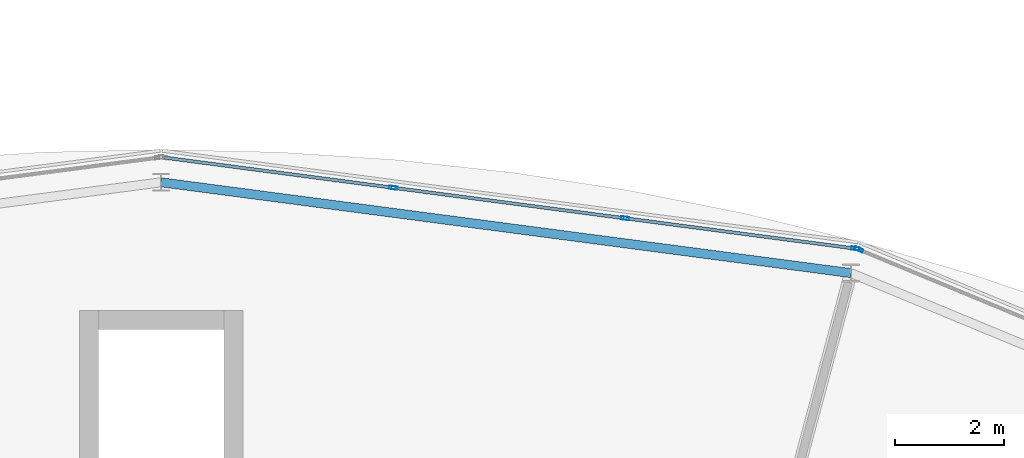
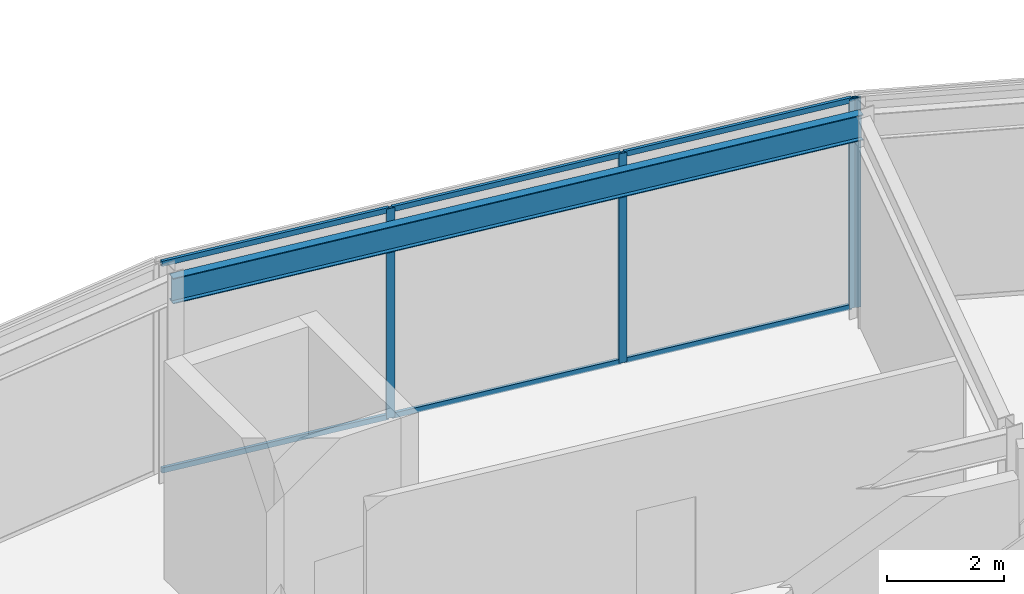
# One storey, part 78 of 133: 10 members, 1 beam, 2 elements without a shape of their own.
"""IFC4 building model written with IfcOpenShell, lengths in metres."""

from ifc_helpers import new_model, si_unit, direction, frame, origin, origin_2d, place, context, subcontext, project, spatial, hollow_rectangle, i_section, extrude, material, material_profile, profile_set, type_object, element, aggregate, save


model = new_model("IFC4")

# Units and contexts
model_context = context("Model", 3, precision=1e-05, world=origin(), true_north=direction((0.0, 1.0)))
body_context = subcontext(model_context, "Body", "Model", "MODEL_VIEW")
ifc_project = project(units=[si_unit("LENGTHUNIT", "METRE"), si_unit("AREAUNIT", "SQUARE_METRE"), si_unit("VOLUMEUNIT", "CUBIC_METRE"), si_unit("PLANEANGLEUNIT", "RADIAN"), si_unit("MASSUNIT", "GRAM", prefix="KILO")], contexts=[model_context])

# Site, building, storey
site_placement = place(None, origin())
site = spatial("IfcSite", under=ifc_project, at=site_placement, CompositionType="ELEMENT")
building_placement = place(site_placement, origin())
building = spatial("IfcBuilding", under=site, at=building_placement, Name="Almandine Court Research Institute", CompositionType="ELEMENT")
storey_placement = place(building_placement, frame((0.0, 0.0, 9.800048828125)))
storey = spatial("IfcBuildingStorey", under=building, at=storey_placement, Name="L02", CompositionType="ELEMENT", Elevation=9.800048828125)

# Beam
ifc_material_1 = material(Name="Steel ASTM A992 Grade 50", Category="steel")
ifc_material_profile_1 = material_profile(ifc_material_1, i_section(OverallWidth=0.166015625, OverallDepth=0.534912109375, WebThickness=0.010009765625, FlangeThickness=0.01708984375, at=origin_2d()), Name="W530x85")
ifc_profile_set_1 = profile_set([ifc_material_profile_1], Name="Steel ASTM A992 Grade 50")
beam_type = type_object("IfcBeamType", Name="Beam-G-05-E", PredefinedType="SPANDREL", material=ifc_profile_set_1)
beam_placement = place(storey_placement, frame((99.656005859375, 103.23388671875, 4.10205078125), z_axis=(-0.991446677504, 0.130512396599, 0.0), x_axis=(-0.130512396599, -0.991446677504, 0.0)))
element("IfcBeam", 1, at=beam_placement, inside=storey, type_object=beam_type, Name="L02 Drum OUT Ring Beam 05", PredefinedType="SPANDREL", context=body_context, shape_type="SweptSolid", body=[
    extrude(i_section(OverallWidth=0.166015625, OverallDepth=0.534912109375, WebThickness=0.010009765625, FlangeThickness=0.01708984375, at=origin_2d()), origin(), (0.0, 0.0, 1.0), 12.76513671875),
])

# Curtain wall, member
ifc_material_2 = material(Name="Unitised Curtain Wall Framing and Solar Glazing", Category="glass")
curtain_wall_type = type_object("IfcCurtainWallType", Name="CW-CWG-20", PredefinedType="USERDEFINED", material=ifc_material_2)
curtain_wall_1_placement = place(storey_placement, origin())
curtain_wall_1 = element("IfcCurtainWall", 2, at=curtain_wall_1_placement, inside=storey, type_object=curtain_wall_type, Name="L02 Stacked-Ring Drum Outer Unitised Glazing 04", ObjectType="UNITISED GLAZING", PredefinedType="USERDEFINED")
ifc_material_3 = material(Name="Anodised Aluminium AW-6063-T6", Category="aluminium")
ifc_material_profile_2 = material_profile(ifc_material_3, hollow_rectangle(XDim=0.06005859375, YDim=0.14990234375, WallThickness=0.00390625, at=origin_2d()), Name="ALU RHS 60x150x4")
ifc_profile_set_2 = profile_set([ifc_material_profile_2], Name="Anodised Aluminium AW-6063-T6")
member_type_1 = type_object("IfcMemberType", Name="CWMul-60x150", PredefinedType="MULLION", material=ifc_profile_set_2)
member_1_placement = place(storey_placement, frame((99.806640625, 103.66552734375, 0.0), z_axis=(0.0, 0.0, 1.0), x_axis=(0.382662689242, 0.923888124321, 0.0)))
member_1 = element("IfcMember", 3, at=member_1_placement, type_object=member_type_1, Name="CWG-20 mullion 1", PredefinedType="MULLION", context=body_context, shape_type="SweptSolid", body=[
    extrude(hollow_rectangle(XDim=0.06005859375, YDim=0.14990234375, WallThickness=0.00390625, at=origin_2d()), origin(), (0.0, 0.0, 1.0), 4.369873046875),
])
aggregate(curtain_wall_1, [member_1])

# Curtain wall, members
curtain_wall_2_placement = place(storey_placement, origin())
curtain_wall_2 = element("IfcCurtainWall", 4, at=curtain_wall_2_placement, inside=storey, type_object=curtain_wall_type, Name="L02 Stacked-Ring Drum Outer Unitised Glazing 05", ObjectType="UNITISED GLAZING", PredefinedType="USERDEFINED")
member_2_placement = place(storey_placement, frame((91.259765625, 104.799560546875, 0.0), z_axis=(0.0, 0.0, 1.0), x_axis=(0.130540891259, 0.991442926098, 0.0)))
member_2 = element("IfcMember", 5, at=member_2_placement, type_object=member_type_1, Name="CWG-20 mullion 2", PredefinedType="MULLION", context=body_context, shape_type="SweptSolid", body=[
    extrude(hollow_rectangle(XDim=0.06005859375, YDim=0.14990234375, WallThickness=0.00390625, at=origin_2d()), origin(), (0.0, 0.0, 1.0), 4.369873046875),
])
member_3_placement = place(storey_placement, frame((95.515380859375, 104.2392578125, 0.0), z_axis=(0.0, 0.0, 1.0), x_axis=(0.130540891259, 0.991442926098, 0.0)))
member_3 = element("IfcMember", 6, at=member_3_placement, type_object=member_type_1, Name="CWG-20 mullion 3", PredefinedType="MULLION", context=body_context, shape_type="SweptSolid", body=[
    extrude(hollow_rectangle(XDim=0.06005859375, YDim=0.14990234375, WallThickness=0.00390625, at=origin_2d()), origin(), (0.0, 0.0, 1.0), 4.369873046875),
])
member_4_placement = place(storey_placement, frame((99.7412109375, 103.682861328125, 0.0), z_axis=(0.0, 0.0, 1.0), x_axis=(0.130540891259, 0.991442926098, 0.0)))
member_4 = element("IfcMember", 7, at=member_4_placement, type_object=member_type_1, Name="CWG-20 mullion 4", PredefinedType="MULLION", context=body_context, shape_type="SweptSolid", body=[
    extrude(hollow_rectangle(XDim=0.06005859375, YDim=0.14990234375, WallThickness=0.00390625, at=origin_2d()), origin(), (0.0, 0.0, 1.0), 4.369873046875),
])
ifc_material_profile_3 = material_profile(ifc_material_3, hollow_rectangle(XDim=0.06005859375, YDim=0.110107421875, WallThickness=0.00390625, at=origin_2d()), Name="ALU RHS 60x110x4")
ifc_profile_set_3 = profile_set([ifc_material_profile_3], Name="Anodised Aluminium AW-6063-T6")
member_type_2 = type_object("IfcMemberType", Name="CWTrn-60x110", PredefinedType="NOTDEFINED", material=ifc_profile_set_3)
member_5_placement = place(storey_placement, frame((87.0634765625, 105.35205078125, 0.030029296875), z_axis=(0.991443218791, -0.130538668266, 0.0), x_axis=(0.130538668266, 0.991443218791, 0.0)))
member_5 = element("IfcMember", 8, at=member_5_placement, type_object=member_type_2, Name="CWG-20 transom 1.1", ObjectType="TRANSOM", PredefinedType="USERDEFINED", context=body_context, shape_type="SweptSolid", body=[
    extrude(hollow_rectangle(XDim=0.06005859375, YDim=0.110107421875, WallThickness=0.00390625, at=origin_2d()), origin(), (0.0, 0.0, 1.0), 4.202392578125),
])
member_6_placement = place(storey_placement, frame((87.0634765625, 105.35205078125, 4.33984375), z_axis=(0.991443218791, -0.130538668266, 0.0), x_axis=(0.130538668266, 0.991443218791, 0.0)))
member_6 = element("IfcMember", 9, at=member_6_placement, type_object=member_type_2, Name="CWG-20 transom 1.2", ObjectType="TRANSOM", PredefinedType="USERDEFINED", context=body_context, shape_type="SweptSolid", body=[
    extrude(hollow_rectangle(XDim=0.06005859375, YDim=0.110107421875, WallThickness=0.00390625, at=origin_2d()), origin(), (0.0, 0.0, 1.0), 4.202392578125),
])
member_7_placement = place(storey_placement, frame((91.289306640625, 104.795654296875, 0.030029296875), z_axis=(0.991443690345, -0.130535086761, 0.0), x_axis=(0.130535086761, 0.991443690345, 0.0)))
member_7 = element("IfcMember", 10, at=member_7_placement, type_object=member_type_2, Name="CWG-20 transom 2.1", ObjectType="TRANSOM", PredefinedType="USERDEFINED", context=body_context, shape_type="SweptSolid", body=[
    extrude(hollow_rectangle(XDim=0.06005859375, YDim=0.110107421875, WallThickness=0.00390625, at=origin_2d()), origin(), (0.0, 0.0, 1.0), 4.232421875),
])
member_8_placement = place(storey_placement, frame((91.289306640625, 104.795654296875, 4.33984375), z_axis=(0.991443690345, -0.130535086761, 0.0), x_axis=(0.130535086761, 0.991443690345, 0.0)))
member_8 = element("IfcMember", 11, at=member_8_placement, type_object=member_type_2, Name="CWG-20 transom 2.2", ObjectType="TRANSOM", PredefinedType="USERDEFINED", context=body_context, shape_type="SweptSolid", body=[
    extrude(hollow_rectangle(XDim=0.06005859375, YDim=0.110107421875, WallThickness=0.00390625, at=origin_2d()), origin(), (0.0, 0.0, 1.0), 4.232421875),
])
member_9_placement = place(storey_placement, frame((95.545166015625, 104.2353515625, 0.030029296875), z_axis=(0.991442228753, -0.130546187402, 0.0), x_axis=(0.130546187402, 0.991442228753, 0.0)))
member_9 = element("IfcMember", 12, at=member_9_placement, type_object=member_type_2, Name="CWG-20 transom 3.1", ObjectType="TRANSOM", PredefinedType="USERDEFINED", context=body_context, shape_type="SweptSolid", body=[
    extrude(hollow_rectangle(XDim=0.06005859375, YDim=0.110107421875, WallThickness=0.00390625, at=origin_2d()), origin(), (0.0, 0.0, 1.0), 4.2021484375),
])
member_10_placement = place(storey_placement, frame((95.545166015625, 104.2353515625, 4.33984375), z_axis=(0.991442228753, -0.130546187402, 0.0), x_axis=(0.130546187402, 0.991442228753, 0.0)))
member_10 = element("IfcMember", 13, at=member_10_placement, type_object=member_type_2, Name="CWG-20 transom 3.2", ObjectType="TRANSOM", PredefinedType="USERDEFINED", context=body_context, shape_type="SweptSolid", body=[
    extrude(hollow_rectangle(XDim=0.06005859375, YDim=0.110107421875, WallThickness=0.00390625, at=origin_2d()), origin(), (0.0, 0.0, 1.0), 4.2021484375),
])
aggregate(curtain_wall_2, [member_2, member_3, member_4, member_5, member_6, member_7, member_8, member_9, member_10])

save(model, "model.ifc")
